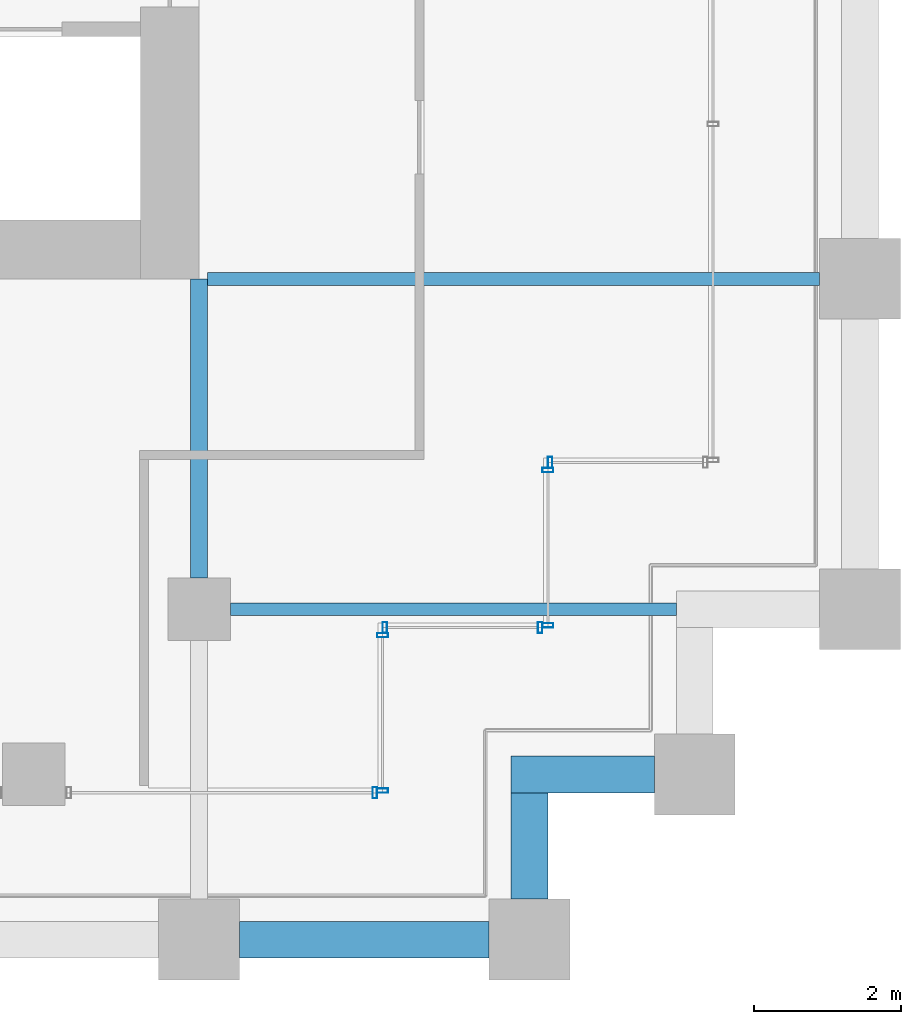
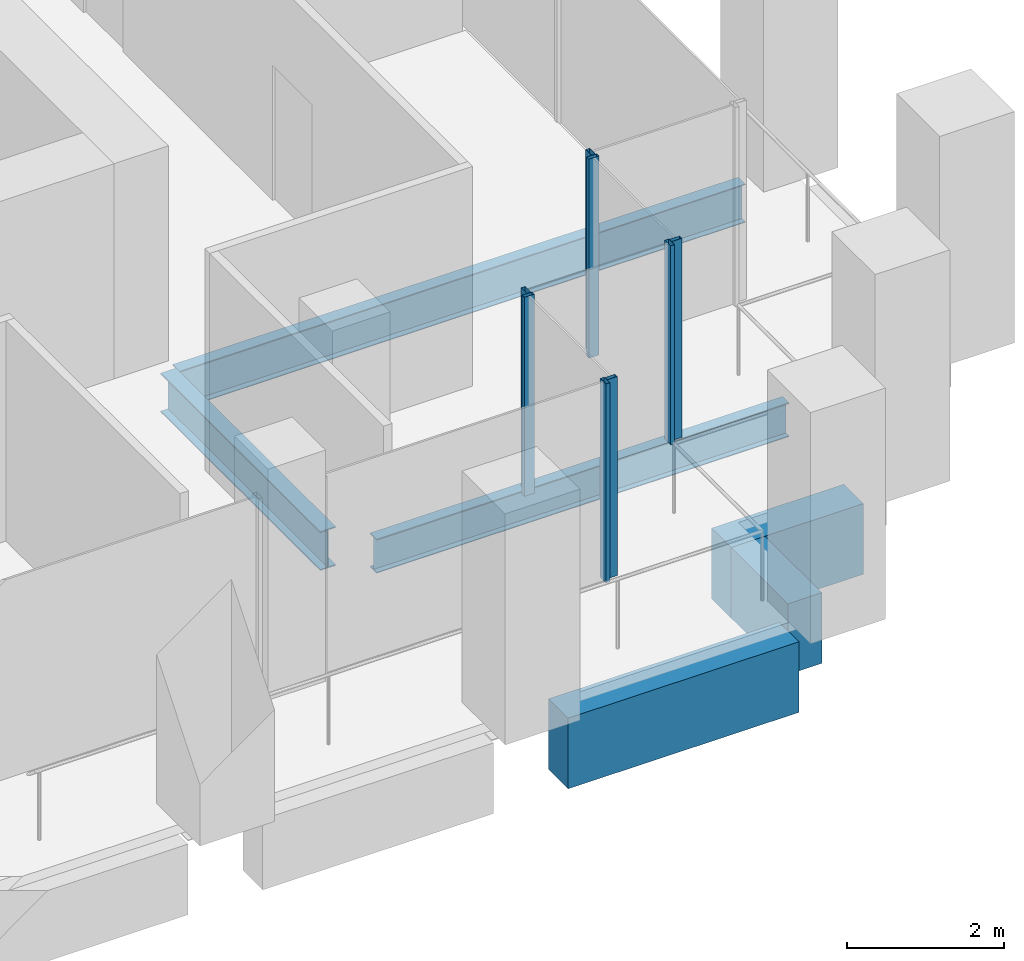
# One storey, part 38 of 56: 8 members, 6 beams, 5 elements without a shape of their own.
"""IFC4 building model written with IfcOpenShell, lengths in metres."""

from ifc_helpers import new_model, si_unit, direction, frame, origin, origin_2d, place, context, subcontext, project, spatial, rectangle, hollow_rectangle, i_section, extrude, material, material_profile, profile_set, type_object, element, aggregate, save


model = new_model("IFC4")

# Units and contexts
model_context = context("Model", 3, precision=1e-05, world=origin(), true_north=direction((0.0, 1.0)))
body_context = subcontext(model_context, "Body", "Model", "MODEL_VIEW")
ifc_project = project(units=[si_unit("LENGTHUNIT", "METRE"), si_unit("AREAUNIT", "SQUARE_METRE"), si_unit("VOLUMEUNIT", "CUBIC_METRE"), si_unit("PLANEANGLEUNIT", "RADIAN"), si_unit("MASSUNIT", "GRAM", prefix="KILO")], contexts=[model_context])

# Site, building, storey
site_placement = place(None, origin())
site = spatial("IfcSite", under=ifc_project, at=site_placement, CompositionType="ELEMENT")
building_placement = place(site_placement, origin())
building = spatial("IfcBuilding", under=site, at=building_placement, Name="Altepetl Exchange Towers", CompositionType="ELEMENT")
storey_placement = place(building_placement, frame((0.0, 0.0, 79.800048828125)))
storey = spatial("IfcBuildingStorey", under=building, at=storey_placement, Name="L19", CompositionType="ELEMENT", Elevation=79.800048828125)

# Beams
ifc_material_1 = material(Name="Steel S355", Category="steel")
ifc_material_profile_1 = material_profile(ifc_material_1, i_section(OverallWidth=0.166015625, OverallDepth=0.529052734375, WebThickness=0.009765625, FlangeThickness=0.013671875, at=origin_2d()), Name="W21X50")
ifc_profile_set_1 = profile_set([ifc_material_profile_1], Name="Steel S355")
beam_type_1 = type_object("IfcBeamType", Name="Floor beam W21X50", PredefinedType="BEAM", material=ifc_profile_set_1)
beam_1_placement = place(storey_placement, frame((117.425048828125, 31.5, -0.41455078125), z_axis=(1.0, 0.0, 0.0), x_axis=(0.0, 1.0, 0.0)))
element("IfcBeam", 1, at=beam_1_placement, inside=storey, type_object=beam_type_1, Name="bm:B:L19:004", PredefinedType="BEAM", context=body_context, shape_type="SweptSolid", body=[
    extrude(i_section(OverallWidth=0.166015625, OverallDepth=0.529052734375, WebThickness=0.009765625, FlangeThickness=0.013671875, at=origin_2d()), origin(), (0.0, 0.0, 1.0), 6.074951171875),
])
ifc_material_profile_2 = material_profile(ifc_material_1, i_section(OverallWidth=0.177978515625, OverallDepth=0.59912109375, WebThickness=0.010009765625, FlangeThickness=0.0126953125, at=origin_2d()), Name="W24X55")
ifc_profile_set_2 = profile_set([ifc_material_profile_2], Name="Steel S355")
beam_type_2 = type_object("IfcBeamType", Name="Floor beam W24X55", PredefinedType="BEAM", material=ifc_profile_set_2)
beam_2_placement = place(storey_placement, frame((117.114013671875, 36.0, -0.449462890625), z_axis=(1.0, 0.0, 0.0), x_axis=(0.0, 1.0, 0.0)))
element("IfcBeam", 2, at=beam_2_placement, inside=storey, type_object=beam_type_2, Name="bm:B:L19:005", PredefinedType="BEAM", context=body_context, shape_type="SweptSolid", body=[
    extrude(i_section(OverallWidth=0.177978515625, OverallDepth=0.59912109375, WebThickness=0.010009765625, FlangeThickness=0.0126953125, at=origin_2d()), origin(), (0.0, 0.0, 1.0), 8.3359375),
])
ifc_material_profile_3 = material_profile(ifc_material_1, i_section(OverallWidth=0.22802734375, OverallDepth=0.60791015625, WebThickness=0.01123046875, FlangeThickness=0.017333984375, at=origin_2d()), Name="W24X76")
ifc_profile_set_3 = profile_set([ifc_material_profile_3], Name="Steel S355")
beam_type_3 = type_object("IfcBeamType", Name="Girder W24X76", PredefinedType="BEAM", material=ifc_profile_set_3)
beam_3_placement = place(storey_placement, frame((117.0, 36.0, -0.4541015625), z_axis=(0.0, -1.0, 0.0), x_axis=(1.0, 0.0, 0.0)))
element("IfcBeam", 3, at=beam_3_placement, inside=storey, type_object=beam_type_3, Name="gd:B:L19:004", PredefinedType="BEAM", context=body_context, shape_type="SweptSolid", body=[
    extrude(i_section(OverallWidth=0.22802734375, OverallDepth=0.60791015625, WebThickness=0.01123046875, FlangeThickness=0.017333984375, at=origin_2d()), origin(), (0.0, 0.0, 1.0), 4.074951171875),
])

# Curtain wall, member
ifc_material_2 = material(Name="Aluminium 6063-T6 glazing", Category="aluminium")
curtain_wall_type = type_object("IfcCurtainWallType", Name="Loggia glazing system", PredefinedType="NOTDEFINED", material=ifc_material_2)
curtain_wall_1_placement = place(storey_placement, origin())
curtain_wall_1 = element("IfcCurtainWall", 4, at=curtain_wall_1_placement, inside=storey, type_object=curtain_wall_type, Name="CW1 run", PredefinedType="NOTDEFINED")
ifc_material_3 = material(Name="Aluminium 6063-T6", Category="aluminium")
ifc_material_profile_4 = material_profile(ifc_material_3, hollow_rectangle(XDim=0.06005859375, YDim=0.14990234375, WallThickness=0.0029296875, at=origin_2d()), Name="Mullion 60x150 aluminium")
ifc_profile_set_4 = profile_set([ifc_material_profile_4], Name="Aluminium 6063-T6")
member_type = type_object("IfcMemberType", Name="Mullion 60x150 aluminium", PredefinedType="MULLION", material=ifc_profile_set_4)
member_1_placement = place(storey_placement, frame((119.39501953125, 29.0, 0.0)))
member_1 = element("IfcMember", 5, at=member_1_placement, type_object=member_type, Name="MU1 mullion", PredefinedType="MULLION", context=body_context, shape_type="SweptSolid", body=[
    extrude(hollow_rectangle(XDim=0.06005859375, YDim=0.14990234375, WallThickness=0.0029296875, at=origin_2d()), origin(), (0.0, 0.0, 1.0), 3.099853515625),
])
aggregate(curtain_wall_1, [member_1])

# Curtain wall, members
curtain_wall_2_placement = place(storey_placement, origin())
curtain_wall_2 = element("IfcCurtainWall", 6, at=curtain_wall_2_placement, inside=storey, type_object=curtain_wall_type, Name="CW1 run", PredefinedType="NOTDEFINED")
member_2_placement = place(storey_placement, frame((119.5, 29.030029296875, 0.0), z_axis=(0.0, 0.0, 1.0), x_axis=(0.0, 1.0, 0.0)))
member_2 = element("IfcMember", 7, at=member_2_placement, type_object=member_type, Name="MU1 mullion", PredefinedType="MULLION", context=body_context, shape_type="SweptSolid", body=[
    extrude(hollow_rectangle(XDim=0.06005859375, YDim=0.14990234375, WallThickness=0.0029296875, at=origin_2d()), origin(), (0.0, 0.0, 1.0), 3.099853515625),
])
member_3_placement = place(storey_placement, frame((119.5, 31.14501953125, 0.0), z_axis=(0.0, 0.0, 1.0), x_axis=(0.0, 1.0, 0.0)))
member_3 = element("IfcMember", 8, at=member_3_placement, type_object=member_type, Name="MU1 mullion", PredefinedType="MULLION", context=body_context, shape_type="SweptSolid", body=[
    extrude(hollow_rectangle(XDim=0.06005859375, YDim=0.14990234375, WallThickness=0.0029296875, at=origin_2d()), origin(), (0.0, 0.0, 1.0), 3.099853515625),
])
aggregate(curtain_wall_2, [member_2, member_3])

curtain_wall_3_placement = place(storey_placement, origin())
curtain_wall_3 = element("IfcCurtainWall", 9, at=curtain_wall_3_placement, inside=storey, type_object=curtain_wall_type, Name="CW1 run", PredefinedType="NOTDEFINED")
member_4_placement = place(storey_placement, frame((119.530029296875, 31.25, 0.0)))
member_4 = element("IfcMember", 10, at=member_4_placement, type_object=member_type, Name="MU1 mullion", PredefinedType="MULLION", context=body_context, shape_type="SweptSolid", body=[
    extrude(hollow_rectangle(XDim=0.06005859375, YDim=0.14990234375, WallThickness=0.0029296875, at=origin_2d()), origin(), (0.0, 0.0, 1.0), 3.099853515625),
])
member_5_placement = place(storey_placement, frame((121.64501953125, 31.25, 0.0)))
member_5 = element("IfcMember", 11, at=member_5_placement, type_object=member_type, Name="MU1 mullion", PredefinedType="MULLION", context=body_context, shape_type="SweptSolid", body=[
    extrude(hollow_rectangle(XDim=0.06005859375, YDim=0.14990234375, WallThickness=0.0029296875, at=origin_2d()), origin(), (0.0, 0.0, 1.0), 3.099853515625),
])
aggregate(curtain_wall_3, [member_4, member_5])

curtain_wall_4_placement = place(storey_placement, origin())
curtain_wall_4 = element("IfcCurtainWall", 12, at=curtain_wall_4_placement, inside=storey, type_object=curtain_wall_type, Name="CW1 run", PredefinedType="NOTDEFINED")
member_6_placement = place(storey_placement, frame((121.75, 31.280029296875, 0.0), z_axis=(0.0, 0.0, 1.0), x_axis=(0.0, 1.0, 0.0)))
member_6 = element("IfcMember", 13, at=member_6_placement, type_object=member_type, Name="MU1 mullion", PredefinedType="MULLION", context=body_context, shape_type="SweptSolid", body=[
    extrude(hollow_rectangle(XDim=0.06005859375, YDim=0.14990234375, WallThickness=0.0029296875, at=origin_2d()), origin(), (0.0, 0.0, 1.0), 3.099853515625),
])
member_7_placement = place(storey_placement, frame((121.75, 33.39501953125, 0.0), z_axis=(0.0, 0.0, 1.0), x_axis=(0.0, 1.0, 0.0)))
member_7 = element("IfcMember", 14, at=member_7_placement, type_object=member_type, Name="MU1 mullion", PredefinedType="MULLION", context=body_context, shape_type="SweptSolid", body=[
    extrude(hollow_rectangle(XDim=0.06005859375, YDim=0.14990234375, WallThickness=0.0029296875, at=origin_2d()), origin(), (0.0, 0.0, 1.0), 3.099853515625),
])
aggregate(curtain_wall_4, [member_6, member_7])

# Curtain wall, member
curtain_wall_5_placement = place(storey_placement, origin())
curtain_wall_5 = element("IfcCurtainWall", 15, at=curtain_wall_5_placement, inside=storey, type_object=curtain_wall_type, Name="CW1 run", PredefinedType="NOTDEFINED")
member_8_placement = place(storey_placement, frame((121.780029296875, 33.5, 0.0)))
member_8 = element("IfcMember", 16, at=member_8_placement, type_object=member_type, Name="MU1 mullion", PredefinedType="MULLION", context=body_context, shape_type="SweptSolid", body=[
    extrude(hollow_rectangle(XDim=0.06005859375, YDim=0.14990234375, WallThickness=0.0029296875, at=origin_2d()), origin(), (0.0, 0.0, 1.0), 3.099853515625),
])
aggregate(curtain_wall_5, [member_8])

# Beams
ifc_material_4 = material(Name="Concrete C50/60 precast with cantera blanca facing", Category="concrete")
ifc_material_profile_5 = material_profile(ifc_material_4, rectangle(XDim=0.5, YDim=1.10009765625, at=origin_2d()), Name="500 x 1100")
ifc_profile_set_5 = profile_set([ifc_material_profile_5], Name="Concrete C50/60 precast with cantera blanca facing")
beam_type_4 = type_object("IfcBeamType", Name="Spandrel beam 500x1100 cantera blanca", PredefinedType="SPANDREL", material=ifc_profile_set_5)
beam_4_placement = place(storey_placement, frame((117.550048828125, 27.0, -0.699951171875), z_axis=(1.0, 0.0, 0.0), x_axis=(0.0, 1.0, 0.0)))
element("IfcBeam", 17, at=beam_4_placement, inside=storey, type_object=beam_type_4, Name="sp:B:L19:004", PredefinedType="SPANDREL", context=body_context, shape_type="SweptSolid", body=[
    extrude(rectangle(XDim=0.5, YDim=1.10009765625, at=origin_2d()), origin(), (0.0, 0.0, 1.0), 3.39990234375),
])
beam_5_placement = place(storey_placement, frame((121.5, 27.550048828125, -0.699951171875), z_axis=(0.0, 1.0, 0.0), x_axis=(-1.0, 0.0, 0.0)))
element("IfcBeam", 18, at=beam_5_placement, inside=storey, type_object=beam_type_4, Name="sp:B:L19:005", PredefinedType="SPANDREL", context=body_context, shape_type="SweptSolid", body=[
    extrude(rectangle(XDim=0.5, YDim=1.10009765625, at=origin_2d()), origin(), (0.0, 0.0, 1.0), 1.449951171875),
])
beam_6_placement = place(storey_placement, frame((121.25, 29.25, -0.699951171875), z_axis=(1.0, 0.0, 0.0), x_axis=(0.0, 1.0, 0.0)))
element("IfcBeam", 19, at=beam_6_placement, inside=storey, type_object=beam_type_4, Name="sp:B:L19:006", PredefinedType="SPANDREL", context=body_context, shape_type="SweptSolid", body=[
    extrude(rectangle(XDim=0.5, YDim=1.10009765625, at=origin_2d()), origin(), (0.0, 0.0, 1.0), 1.949951171875),
])

save(model, "model.ifc")
